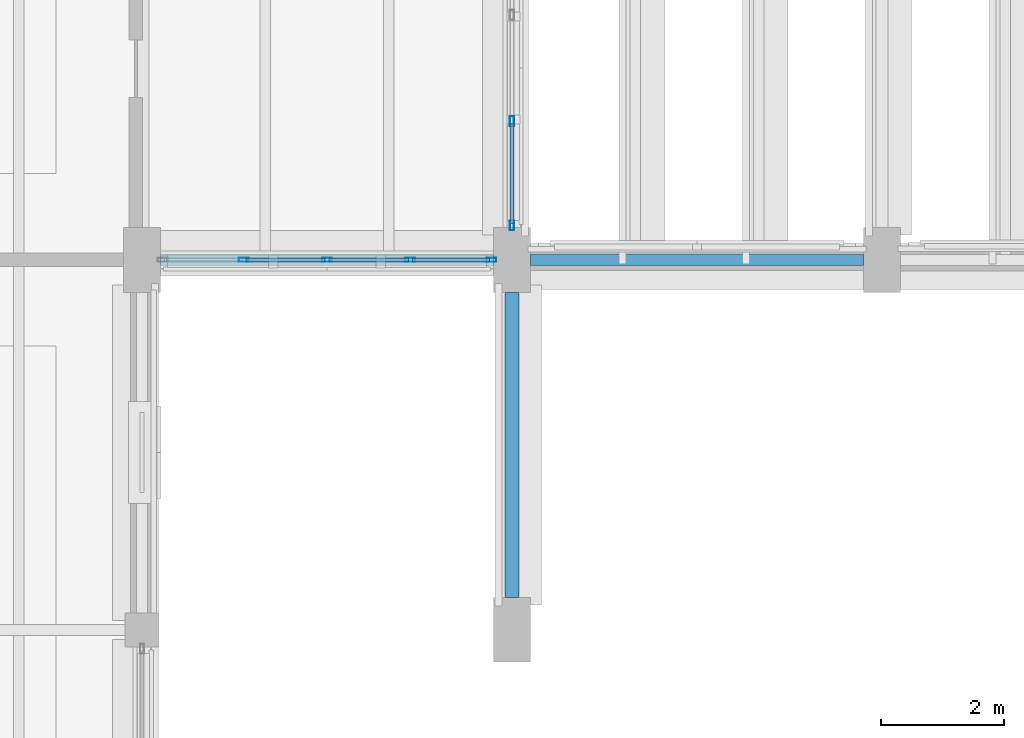
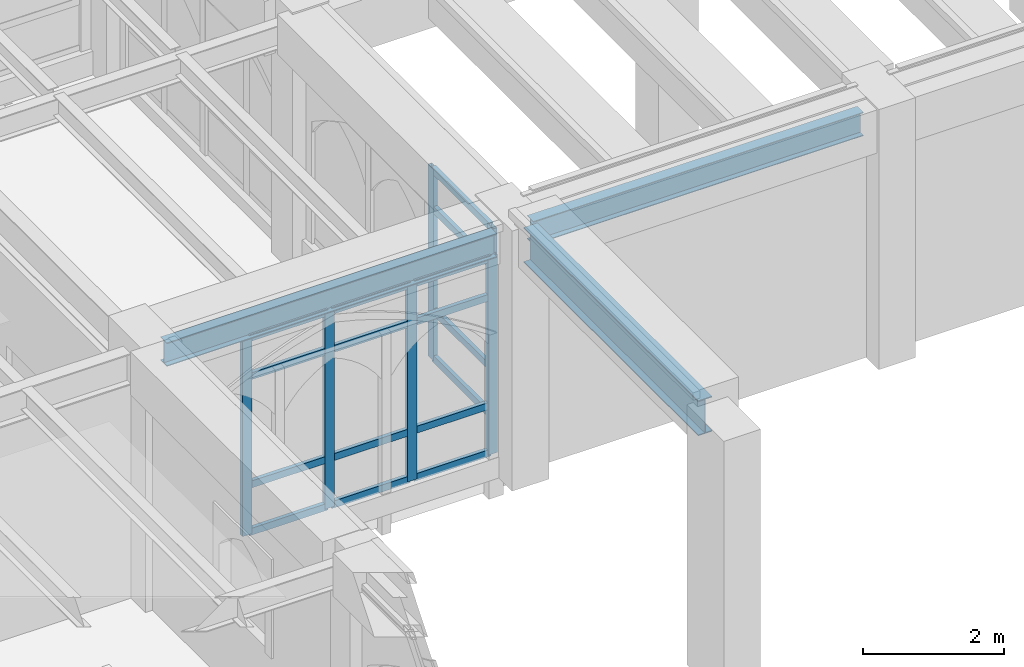
# One storey, part 52 of 127: 22 members, 3 beams, 2 elements without a shape of their own.
"""IFC4 building model written with IfcOpenShell, lengths in metres."""

from ifc_helpers import new_model, si_unit, direction, frame, origin, origin_2d, place, context, subcontext, project, spatial, hollow_rectangle, i_section, extrude, material, layer, layer_set, material_profile, profile_set, type_object, element, aggregate, save


model = new_model("IFC4")

# Units and contexts
model_context = context("Model", 3, precision=1e-05, world=origin(), true_north=direction((0.0, 1.0)))
body_context = subcontext(model_context, "Body", "Model", "MODEL_VIEW")
ifc_project = project(units=[si_unit("LENGTHUNIT", "METRE"), si_unit("AREAUNIT", "SQUARE_METRE"), si_unit("VOLUMEUNIT", "CUBIC_METRE"), si_unit("PLANEANGLEUNIT", "RADIAN"), si_unit("MASSUNIT", "GRAM", prefix="KILO")], contexts=[model_context])

# Site, building, storey
site_placement = place(None, origin())
site = spatial("IfcSite", under=ifc_project, at=site_placement, CompositionType="ELEMENT")
building_placement = place(site_placement, origin())
building = spatial("IfcBuilding", under=site, at=building_placement, Name="Cumevento Cable Car Station", CompositionType="ELEMENT")
storey_placement = place(building_placement, frame((0.0, 0.0, 4.5)))
storey = spatial("IfcBuildingStorey", under=building, at=storey_placement, Name="L02", CompositionType="ELEMENT", Elevation=4.5)

# Curtain wall, members
ifc_material_1 = material(Name="Anodised Bronze Aluminium AW-6063-T6", Category="aluminium")
ifc_layer_1 = layer(ifc_material_1, 0.23193359375)
ifc_layer_set_1 = layer_set([ifc_layer_1], Name="Anodised Bronze Aluminium AW-6063-T6")
curtain_wall_type_1 = type_object("IfcCurtainWallType", Name="Lancet Curtain Wall CW-13 1530", PredefinedType="NOTDEFINED", material=ifc_layer_set_1)
curtain_wall_1_placement = place(storey_placement, origin())
curtain_wall_1 = element("IfcCurtainWall", 1, at=curtain_wall_1_placement, inside=storey, type_object=curtain_wall_type_1, Name="Lancet Curtain Wall CW-13 L02 #60", PredefinedType="NOTDEFINED")
ifc_material_2 = material(Name="Anodised Bronze Aluminium AW-6063-T6", Category="aluminium")
ifc_material_profile_1 = material_profile(ifc_material_2, hollow_rectangle(XDim=0.06494140625, YDim=0.159912109375, WallThickness=0.00390625, at=origin_2d()), Name="ALUM65x160x4")
ifc_profile_set_1 = profile_set([ifc_material_profile_1], Name="Anodised Bronze Aluminium AW-6063-T6")
member_type_1 = type_object("IfcMemberType", Name="Curtain Mullion CWM-01 ALUM65x160x4", PredefinedType="MULLION", material=ifc_profile_set_1)
member_1_placement = place(storey_placement, frame((87.66748046875, 45.0, 0.360107421875), z_axis=(0.0, 0.0, 1.0), x_axis=(0.0, -1.0, 0.0)))
member_1 = element("IfcMember", 2, at=member_1_placement, type_object=member_type_1, Name="CW-13 mullion 1", PredefinedType="MULLION", context=body_context, shape_type="SweptSolid", body=[
    extrude(hollow_rectangle(XDim=0.06494140625, YDim=0.159912109375, WallThickness=0.00390625, at=origin_2d()), origin(), (0.0, 0.0, 1.0), 3.4228515625),
])
member_2_placement = place(storey_placement, frame((86.35009765625, 45.0, 0.360107421875), z_axis=(0.0, 0.0, 1.0), x_axis=(0.0, -1.0, 0.0)))
member_2 = element("IfcMember", 3, at=member_2_placement, type_object=member_type_1, Name="CW-13 mullion 2", PredefinedType="MULLION", context=body_context, shape_type="SweptSolid", body=[
    extrude(hollow_rectangle(XDim=0.06494140625, YDim=0.159912109375, WallThickness=0.00390625, at=origin_2d()), origin(), (0.0, 0.0, 1.0), 3.4228515625),
])
member_3_placement = place(storey_placement, frame((85.0, 45.0, 0.360107421875), z_axis=(0.0, 0.0, 1.0), x_axis=(0.0, -1.0, 0.0)))
member_3 = element("IfcMember", 4, at=member_3_placement, type_object=member_type_1, Name="CW-13 mullion 3", PredefinedType="MULLION", context=body_context, shape_type="SweptSolid", body=[
    extrude(hollow_rectangle(XDim=0.06494140625, YDim=0.159912109375, WallThickness=0.00390625, at=origin_2d()), origin(), (0.0, 0.0, 1.0), 3.4228515625),
])
member_4_placement = place(storey_placement, frame((83.64990234375, 45.0, 0.360107421875), z_axis=(0.0, 0.0, 1.0), x_axis=(0.0, -1.0, 0.0)))
member_4 = element("IfcMember", 5, at=member_4_placement, type_object=member_type_1, Name="CW-13 mullion 4", PredefinedType="MULLION", context=body_context, shape_type="SweptSolid", body=[
    extrude(hollow_rectangle(XDim=0.06494140625, YDim=0.159912109375, WallThickness=0.00390625, at=origin_2d()), origin(), (0.0, 0.0, 1.0), 3.4228515625),
])

ifc_material_3 = material(Name="Anodised Bronze Aluminium AW-6063-T6", Category="aluminium")
ifc_layer_2 = layer(ifc_material_3, 0.25)
ifc_layer_set_2 = layer_set([ifc_layer_2], Name="Anodised Bronze Aluminium AW-6063-T6")
curtain_wall_type_2 = type_object("IfcCurtainWallType", Name="Lancet Curtain Wall CW-16 1650", PredefinedType="NOTDEFINED", material=ifc_layer_set_2)
curtain_wall_2_placement = place(storey_placement, origin())
curtain_wall_2 = element("IfcCurtainWall", 6, at=curtain_wall_2_placement, inside=storey, type_object=curtain_wall_type_2, Name="Lancet Curtain Wall CW-16 L02 #63", PredefinedType="NOTDEFINED")
member_5_placement = place(storey_placement, frame((88.0, 47.25, 0.52001953125), z_axis=(0.0, 0.0, 1.0), x_axis=(1.0, 0.0, 0.0)))
member_5 = element("IfcMember", 7, at=member_5_placement, type_object=member_type_1, Name="CW-16 mullion 3", PredefinedType="MULLION", context=body_context, shape_type="SweptSolid", body=[
    extrude(hollow_rectangle(XDim=0.06494140625, YDim=0.159912109375, WallThickness=0.00390625, at=origin_2d()), origin(), (0.0, 0.0, 1.0), 3.31591796875),
])
member_6_placement = place(storey_placement, frame((88.0, 45.5576171875, 0.52001953125), z_axis=(0.0, 0.0, 1.0), x_axis=(1.0, 0.0, 0.0)))
member_6 = element("IfcMember", 8, at=member_6_placement, type_object=member_type_1, Name="CW-16 mullion 4", PredefinedType="MULLION", context=body_context, shape_type="SweptSolid", body=[
    extrude(hollow_rectangle(XDim=0.06494140625, YDim=0.159912109375, WallThickness=0.00390625, at=origin_2d()), origin(), (0.0, 0.0, 1.0), 3.31591796875),
])

# Member
ifc_material_4 = material(Name="Anodised Bronze Aluminium AW-6063-T6", Category="aluminium")
ifc_material_profile_2 = material_profile(ifc_material_4, hollow_rectangle(XDim=0.06494140625, YDim=0.1201171875, WallThickness=0.00390625, at=origin_2d()), Name="ALUT65x120x4")
ifc_profile_set_2 = profile_set([ifc_material_profile_2], Name="Anodised Bronze Aluminium AW-6063-T6")
member_type_2 = type_object("IfcMemberType", Name="Curtain Transom CWT-01 ALUT65x120x4", PredefinedType="USERDEFINED", material=ifc_profile_set_2)
member_7_placement = place(storey_placement, frame((87.635009765625, 45.0, 0.392578125), z_axis=(-1.0, 0.0, 0.0), x_axis=(0.0, -1.0, 0.0)))
member_7 = element("IfcMember", 9, at=member_7_placement, type_object=member_type_2, Name="CW-13 transom 1.1", ObjectType="TRANSOM", PredefinedType="USERDEFINED", context=body_context, shape_type="SweptSolid", body=[
    extrude(hollow_rectangle(XDim=0.06494140625, YDim=0.1201171875, WallThickness=0.00390625, at=origin_2d()), origin(), (0.0, 0.0, 1.0), 1.25244140625),
])

member_8_placement = place(storey_placement, frame((87.635009765625, 45.0, 1.2099609375), z_axis=(-1.0, 0.0, 0.0), x_axis=(0.0, -1.0, 0.0)))
member_8 = element("IfcMember", 10, at=member_8_placement, type_object=member_type_2, Name="CW-13 transom 1.2", ObjectType="TRANSOM", PredefinedType="USERDEFINED", context=body_context, shape_type="SweptSolid", body=[
    extrude(hollow_rectangle(XDim=0.06494140625, YDim=0.1201171875, WallThickness=0.00390625, at=origin_2d()), origin(), (0.0, 0.0, 1.0), 1.25244140625),
])

member_9_placement = place(storey_placement, frame((87.635009765625, 45.0, 3.0830078125), z_axis=(-1.0, 0.0, 0.0), x_axis=(0.0, -1.0, 0.0)))
member_9 = element("IfcMember", 11, at=member_9_placement, type_object=member_type_2, Name="CW-13 transom 1.3", ObjectType="TRANSOM", PredefinedType="USERDEFINED", context=body_context, shape_type="SweptSolid", body=[
    extrude(hollow_rectangle(XDim=0.06494140625, YDim=0.1201171875, WallThickness=0.00390625, at=origin_2d()), origin(), (0.0, 0.0, 1.0), 1.25244140625),
])

member_10_placement = place(storey_placement, frame((87.635009765625, 45.0, 3.75048828125), z_axis=(-1.0, 0.0, 0.0), x_axis=(0.0, -1.0, 0.0)))
member_10 = element("IfcMember", 12, at=member_10_placement, type_object=member_type_2, Name="CW-13 transom 1.4", ObjectType="TRANSOM", PredefinedType="USERDEFINED", context=body_context, shape_type="SweptSolid", body=[
    extrude(hollow_rectangle(XDim=0.06494140625, YDim=0.1201171875, WallThickness=0.00390625, at=origin_2d()), origin(), (0.0, 0.0, 1.0), 1.25244140625),
])

member_11_placement = place(storey_placement, frame((86.3173828125, 45.0, 0.392578125), z_axis=(-1.0, 0.0, 0.0), x_axis=(0.0, -1.0, 0.0)))
member_11 = element("IfcMember", 13, at=member_11_placement, type_object=member_type_2, Name="CW-13 transom 2.1", ObjectType="TRANSOM", PredefinedType="USERDEFINED", context=body_context, shape_type="SweptSolid", body=[
    extrude(hollow_rectangle(XDim=0.06494140625, YDim=0.1201171875, WallThickness=0.00390625, at=origin_2d()), origin(), (0.0, 0.0, 1.0), 1.284912109375),
])

member_12_placement = place(storey_placement, frame((86.3173828125, 45.0, 1.2099609375), z_axis=(-1.0, 0.0, 0.0), x_axis=(0.0, -1.0, 0.0)))
member_12 = element("IfcMember", 14, at=member_12_placement, type_object=member_type_2, Name="CW-13 transom 2.2", ObjectType="TRANSOM", PredefinedType="USERDEFINED", context=body_context, shape_type="SweptSolid", body=[
    extrude(hollow_rectangle(XDim=0.06494140625, YDim=0.1201171875, WallThickness=0.00390625, at=origin_2d()), origin(), (0.0, 0.0, 1.0), 1.284912109375),
])

member_13_placement = place(storey_placement, frame((86.3173828125, 45.0, 3.0830078125), z_axis=(-1.0, 0.0, 0.0), x_axis=(0.0, -1.0, 0.0)))
member_13 = element("IfcMember", 15, at=member_13_placement, type_object=member_type_2, Name="CW-13 transom 2.3", ObjectType="TRANSOM", PredefinedType="USERDEFINED", context=body_context, shape_type="SweptSolid", body=[
    extrude(hollow_rectangle(XDim=0.06494140625, YDim=0.1201171875, WallThickness=0.00390625, at=origin_2d()), origin(), (0.0, 0.0, 1.0), 1.284912109375),
])

member_14_placement = place(storey_placement, frame((86.3173828125, 45.0, 3.75048828125), z_axis=(-1.0, 0.0, 0.0), x_axis=(0.0, -1.0, 0.0)))
member_14 = element("IfcMember", 16, at=member_14_placement, type_object=member_type_2, Name="CW-13 transom 2.4", ObjectType="TRANSOM", PredefinedType="USERDEFINED", context=body_context, shape_type="SweptSolid", body=[
    extrude(hollow_rectangle(XDim=0.06494140625, YDim=0.1201171875, WallThickness=0.00390625, at=origin_2d()), origin(), (0.0, 0.0, 1.0), 1.284912109375),
])

member_15_placement = place(storey_placement, frame((84.967529296875, 45.0, 0.392578125), z_axis=(-1.0, 0.0, 0.0), x_axis=(0.0, -1.0, 0.0)))
member_15 = element("IfcMember", 17, at=member_15_placement, type_object=member_type_2, Name="CW-13 transom 3.1", ObjectType="TRANSOM", PredefinedType="USERDEFINED", context=body_context, shape_type="SweptSolid", body=[
    extrude(hollow_rectangle(XDim=0.06494140625, YDim=0.1201171875, WallThickness=0.00390625, at=origin_2d()), origin(), (0.0, 0.0, 1.0), 1.284912109375),
])

member_16_placement = place(storey_placement, frame((84.967529296875, 45.0, 1.2099609375), z_axis=(-1.0, 0.0, 0.0), x_axis=(0.0, -1.0, 0.0)))
member_16 = element("IfcMember", 18, at=member_16_placement, type_object=member_type_2, Name="CW-13 transom 3.2", ObjectType="TRANSOM", PredefinedType="USERDEFINED", context=body_context, shape_type="SweptSolid", body=[
    extrude(hollow_rectangle(XDim=0.06494140625, YDim=0.1201171875, WallThickness=0.00390625, at=origin_2d()), origin(), (0.0, 0.0, 1.0), 1.284912109375),
])

member_17_placement = place(storey_placement, frame((84.967529296875, 45.0, 3.0830078125), z_axis=(-1.0, 0.0, 0.0), x_axis=(0.0, -1.0, 0.0)))
member_17 = element("IfcMember", 19, at=member_17_placement, type_object=member_type_2, Name="CW-13 transom 3.3", ObjectType="TRANSOM", PredefinedType="USERDEFINED", context=body_context, shape_type="SweptSolid", body=[
    extrude(hollow_rectangle(XDim=0.06494140625, YDim=0.1201171875, WallThickness=0.00390625, at=origin_2d()), origin(), (0.0, 0.0, 1.0), 1.284912109375),
])

member_18_placement = place(storey_placement, frame((84.967529296875, 45.0, 3.75048828125), z_axis=(-1.0, 0.0, 0.0), x_axis=(0.0, -1.0, 0.0)))
member_18 = element("IfcMember", 20, at=member_18_placement, type_object=member_type_2, Name="CW-13 transom 3.4", ObjectType="TRANSOM", PredefinedType="USERDEFINED", context=body_context, shape_type="SweptSolid", body=[
    extrude(hollow_rectangle(XDim=0.06494140625, YDim=0.1201171875, WallThickness=0.00390625, at=origin_2d()), origin(), (0.0, 0.0, 1.0), 1.284912109375),
])

aggregate(curtain_wall_1, [member_1, member_2, member_3, member_4, member_7, member_8, member_9, member_10, member_11, member_12, member_13, member_14, member_15, member_16, member_17, member_18])

member_19_placement = place(storey_placement, frame((88.0, 47.217529296875, 0.552490234375), z_axis=(0.0, -1.0, 0.0), x_axis=(1.0, 0.0, 0.0)))
member_19 = element("IfcMember", 21, at=member_19_placement, type_object=member_type_2, Name="CW-16 transom 3.1", ObjectType="TRANSOM", PredefinedType="USERDEFINED", context=body_context, shape_type="SweptSolid", body=[
    extrude(hollow_rectangle(XDim=0.06494140625, YDim=0.1201171875, WallThickness=0.00390625, at=origin_2d()), origin(), (0.0, 0.0, 1.0), 1.62744140625),
])

member_20_placement = place(storey_placement, frame((88.0, 47.217529296875, 1.3701171875), z_axis=(0.0, -1.0, 0.0), x_axis=(1.0, 0.0, 0.0)))
member_20 = element("IfcMember", 22, at=member_20_placement, type_object=member_type_2, Name="CW-16 transom 3.2", ObjectType="TRANSOM", PredefinedType="USERDEFINED", context=body_context, shape_type="SweptSolid", body=[
    extrude(hollow_rectangle(XDim=0.06494140625, YDim=0.1201171875, WallThickness=0.00390625, at=origin_2d()), origin(), (0.0, 0.0, 1.0), 1.62744140625),
])

member_21_placement = place(storey_placement, frame((88.0, 47.217529296875, 3.135986328125), z_axis=(0.0, -1.0, 0.0), x_axis=(1.0, 0.0, 0.0)))
member_21 = element("IfcMember", 23, at=member_21_placement, type_object=member_type_2, Name="CW-16 transom 3.3", ObjectType="TRANSOM", PredefinedType="USERDEFINED", context=body_context, shape_type="SweptSolid", body=[
    extrude(hollow_rectangle(XDim=0.06494140625, YDim=0.1201171875, WallThickness=0.00390625, at=origin_2d()), origin(), (0.0, 0.0, 1.0), 1.62744140625),
])

member_22_placement = place(storey_placement, frame((88.0, 47.217529296875, 3.803466796875), z_axis=(0.0, -1.0, 0.0), x_axis=(1.0, 0.0, 0.0)))
member_22 = element("IfcMember", 24, at=member_22_placement, type_object=member_type_2, Name="CW-16 transom 3.4", ObjectType="TRANSOM", PredefinedType="USERDEFINED", context=body_context, shape_type="SweptSolid", body=[
    extrude(hollow_rectangle(XDim=0.06494140625, YDim=0.1201171875, WallThickness=0.00390625, at=origin_2d()), origin(), (0.0, 0.0, 1.0), 1.62744140625),
])

aggregate(curtain_wall_2, [member_5, member_6, member_19, member_20, member_21, member_22])

# Beams
ifc_material_5 = material(Name="Steel ASTM A572 Grade 50", Category="steel")
ifc_material_profile_3 = material_profile(ifc_material_5, i_section(OverallWidth=0.22802734375, OverallDepth=0.60791015625, WebThickness=0.01123046875, FlangeThickness=0.017333984375, at=origin_2d()), Name="W610x113.0")
ifc_profile_set_3 = profile_set([ifc_material_profile_3], Name="Steel ASTM A572 Grade 50")
beam_type_1 = type_object("IfcBeamType", Name="Structural Beam BM-02 W610x113.0", PredefinedType="BEAM", material=ifc_profile_set_3)
beam_placement = place(storey_placement, frame((88.0, 39.52490234375, 4.196044921875), z_axis=(0.0, 1.0, 0.0), x_axis=(-1.0, 0.0, 0.0)))
element("IfcBeam", 25, at=beam_placement, inside=storey, type_object=beam_type_1, Name="South Downhill Foothill Ropeway Cabin Portal Buttress Tie Girder L02 #91", PredefinedType="BEAM", context=body_context, shape_type="SweptSolid", body=[
    extrude(i_section(OverallWidth=0.22802734375, OverallDepth=0.60791015625, WebThickness=0.01123046875, FlangeThickness=0.017333984375, at=origin_2d()), origin(), (0.0, 0.0, 1.0), 4.9501953125),
])
ifc_material_6 = material(Name="Steel ASTM A572 Grade 50", Category="steel")
ifc_material_profile_4 = material_profile(ifc_material_6, i_section(OverallWidth=0.177978515625, OverallDepth=0.406982421875, WebThickness=0.0078125, FlangeThickness=0.0126953125, at=origin_2d()), Name="W410x60.0")
ifc_profile_set_4 = profile_set([ifc_material_profile_4], Name="Steel ASTM A572 Grade 50")
beam_type_2 = type_object("IfcBeamType", Name="Structural Spandrel SP-01 W410x60.0", PredefinedType="SPANDREL", material=ifc_profile_set_4)
for number, where, z_axis, x_axis, name in (
    (26, (82.300048828125, 45.0, 3.986572265625), (1.0, 0.0, 0.0), (0.0, 1.0, 0.0), "Beam SP-01 L02 #594"),
    (27, (88.300048828125, 45.0, 3.986572265625), (1.0, 0.0, 0.0), (0.0, 1.0, 0.0), "Beam SP-01 L02 #611"),
):
    element("IfcBeam", number, at=place(storey_placement, frame(where, z_axis=z_axis, x_axis=x_axis)), inside=storey, type_object=beam_type_2, Name=name, PredefinedType="SPANDREL", context=body_context, shape_type="SweptSolid", body=[
        extrude(i_section(OverallWidth=0.177978515625, OverallDepth=0.406982421875, WebThickness=0.0078125, FlangeThickness=0.0126953125, at=origin_2d()), origin(), (0.0, 0.0, 1.0), 5.39990234375),
    ])

save(model, "model.ifc")
